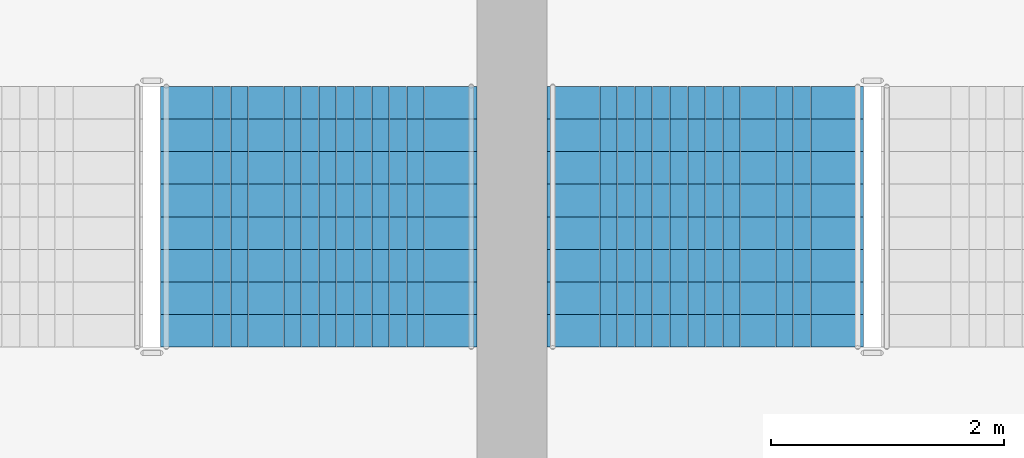
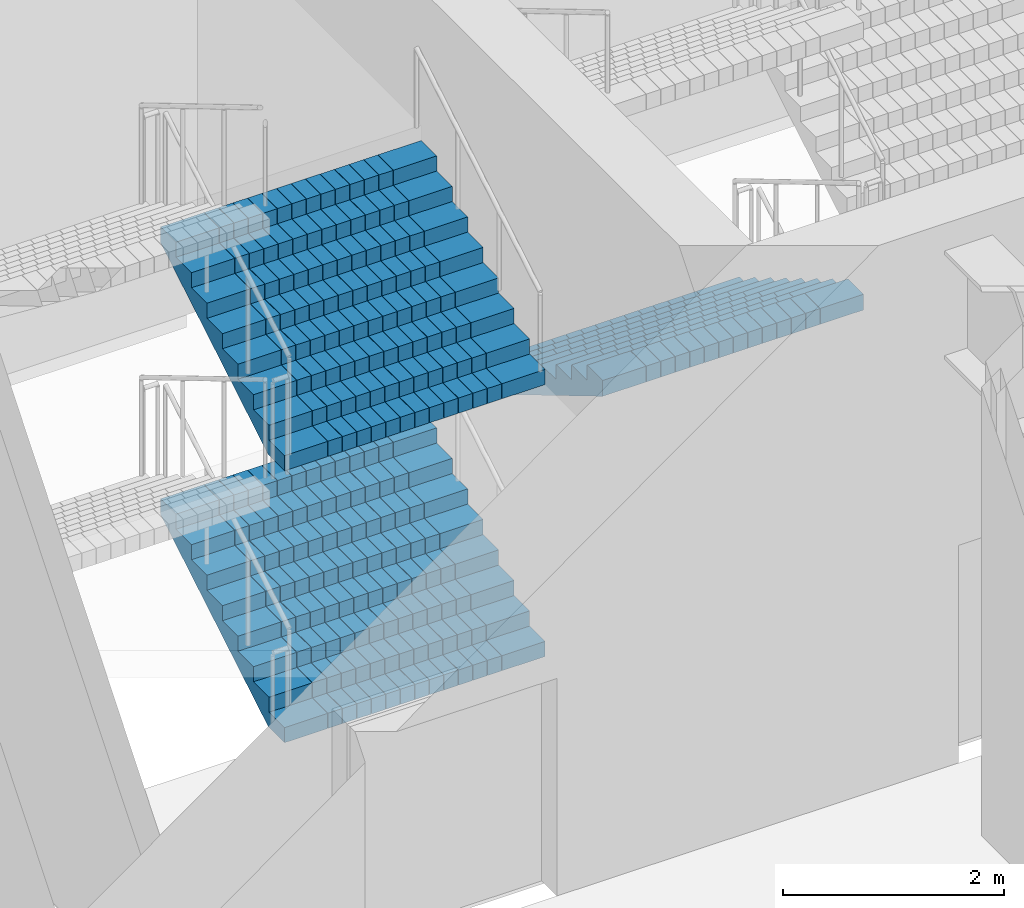
# One storey, part 49 of 61: 3 stair flights, 2 elements without a shape of their own.
"""IFC4 building model written with IfcOpenShell, lengths in metres."""

from ifc_helpers import new_model, si_unit, direction, frame, origin, place, context, subcontext, project, spatial, polyline, outline, extrude, material, type_object, element, aggregate, save


model = new_model("IFC4")

# Units and contexts
model_context = context("Model", 3, precision=1e-05, world=origin(), true_north=direction((0.0, 1.0)))
body_context = subcontext(model_context, "Body", "Model", "MODEL_VIEW")
ifc_project = project(units=[si_unit("LENGTHUNIT", "METRE"), si_unit("AREAUNIT", "SQUARE_METRE"), si_unit("VOLUMEUNIT", "CUBIC_METRE"), si_unit("PLANEANGLEUNIT", "RADIAN"), si_unit("MASSUNIT", "GRAM", prefix="KILO")], contexts=[model_context])

# Site, building, storey
site_placement = place(None, origin())
site = spatial("IfcSite", under=ifc_project, at=site_placement, CompositionType="ELEMENT")
building_placement = place(site_placement, origin())
building = spatial("IfcBuilding", under=site, at=building_placement, Name="Corbelhall Arena Tower", CompositionType="ELEMENT")
storey_placement = place(building_placement, frame((0.0, 0.0, 31.0)))
storey = spatial("IfcBuildingStorey", under=building, at=storey_placement, Name="L04", CompositionType="ELEMENT", Elevation=31.0)

# Stair, stair flights
ifc_material = material(Name="Reinforced concrete C40/50", Category="concrete")
stair_type = type_object("IfcStairType", Name="AR-EXIT-STAIR", PredefinedType="HALF_TURN_STAIR", material=ifc_material)
stair_1_placement = place(storey_placement, origin())
stair_1 = element("IfcStair", 1, at=stair_1_placement, inside=storey, type_object=stair_type, Name="L04 exit stair AS1", PredefinedType="HALF_TURN_STAIR")
stair_flight_type = type_object("IfcStairFlightType", Name="AR-EXIT-FLIGHT", PredefinedType="STRAIGHT", material=ifc_material)
stair_flight_1_placement = place(storey_placement, frame((38.840087890625, 27.320068359375, 0.0), z_axis=(0.0, 0.0, 1.0), x_axis=(0.0, 1.0, 0.0)))
stair_flight_1 = element("IfcStairFlight", 2, at=stair_flight_1_placement, type_object=stair_flight_type, Name="AS1 flight 1", NumberOfRisers=9, NumberOfTreads=8, PredefinedType="STRAIGHT", RiserHeight=0.166666667, TreadLength=0.28, context=body_context, shape_type="SweptSolid", body=[
    extrude(outline(polyline([(0.0, 0.0), (0.0, 0.166748046875), (0.280029296875, 0.166748046875), (0.280029296875, 0.333251953125), (0.56005859375, 0.333251953125), (0.56005859375, 0.5), (0.840087890625, 0.5), (0.840087890625, 0.666748046875), (1.1201171875, 0.666748046875), (1.1201171875, 0.833251953125), (1.39990234375, 0.833251953125), (1.39990234375, 1.0), (1.679931640625, 1.0), (1.679931640625, 1.166748046875), (1.9599609375, 1.166748046875), (1.9599609375, 1.333251953125), (2.239990234375, 1.333251953125), (2.239990234375, 1.5), (2.239990234375, 1.158935546875), (0.29296875, 0.0), (0.0, 0.0)])), frame((0.0, 1.35986328125, 0.0), z_axis=(0.0, -1.0, 0.0), x_axis=(1.0, 0.0, 0.0)), (0.0, 0.0, 1.0), 0.449951171875),
    extrude(outline(polyline([(0.0, 0.0), (0.0, 0.166748046875), (0.280029296875, 0.166748046875), (0.280029296875, 0.333251953125), (0.56005859375, 0.333251953125), (0.56005859375, 0.5), (0.840087890625, 0.5), (0.840087890625, 0.666748046875), (1.1201171875, 0.666748046875), (1.1201171875, 0.833251953125), (1.39990234375, 0.833251953125), (1.39990234375, 1.0), (1.679931640625, 1.0), (1.679931640625, 1.166748046875), (1.9599609375, 1.166748046875), (1.9599609375, 1.333251953125), (2.239990234375, 1.333251953125), (2.239990234375, 1.5), (2.239990234375, 1.158935546875), (0.29296875, 0.0), (0.0, 0.0)])), frame((0.0, 0.906005859375, 0.0), z_axis=(0.0, -1.0, 0.0), x_axis=(1.0, 0.0, 0.0)), (0.0, 0.0, 1.0), 0.147216796875),
    extrude(outline(polyline([(0.0, 0.0), (0.0, 0.166748046875), (0.280029296875, 0.166748046875), (0.280029296875, 0.333251953125), (0.56005859375, 0.333251953125), (0.56005859375, 0.5), (0.840087890625, 0.5), (0.840087890625, 0.666748046875), (1.1201171875, 0.666748046875), (1.1201171875, 0.833251953125), (1.39990234375, 0.833251953125), (1.39990234375, 1.0), (1.679931640625, 1.0), (1.679931640625, 1.166748046875), (1.9599609375, 1.166748046875), (1.9599609375, 1.333251953125), (2.239990234375, 1.333251953125), (2.239990234375, 1.5), (2.239990234375, 1.158935546875), (0.29296875, 0.0), (0.0, 0.0)])), frame((0.0, 0.754638671875, 0.0), z_axis=(0.0, -1.0, 0.0), x_axis=(1.0, 0.0, 0.0)), (0.0, 0.0, 1.0), 0.147216796875),
    extrude(outline(polyline([(0.0, 0.0), (0.0, 0.166748046875), (0.280029296875, 0.166748046875), (0.280029296875, 0.333251953125), (0.56005859375, 0.333251953125), (0.56005859375, 0.5), (0.840087890625, 0.5), (0.840087890625, 0.666748046875), (1.1201171875, 0.666748046875), (1.1201171875, 0.833251953125), (1.39990234375, 0.833251953125), (1.39990234375, 1.0), (1.679931640625, 1.0), (1.679931640625, 1.166748046875), (1.9599609375, 1.166748046875), (1.9599609375, 1.333251953125), (2.239990234375, 1.333251953125), (2.239990234375, 1.5), (2.239990234375, 1.158935546875), (0.29296875, 0.0), (0.0, 0.0)])), frame((0.0, 0.603271484375, 0.0), z_axis=(0.0, -1.0, 0.0), x_axis=(1.0, 0.0, 0.0)), (0.0, 0.0, 1.0), 0.147216796875),
    extrude(outline(polyline([(0.0, 0.0), (0.0, 0.166748046875), (0.280029296875, 0.166748046875), (0.280029296875, 0.333251953125), (0.56005859375, 0.333251953125), (0.56005859375, 0.5), (0.840087890625, 0.5), (0.840087890625, 0.666748046875), (1.1201171875, 0.666748046875), (1.1201171875, 0.833251953125), (1.39990234375, 0.833251953125), (1.39990234375, 1.0), (1.679931640625, 1.0), (1.679931640625, 1.166748046875), (1.9599609375, 1.166748046875), (1.9599609375, 1.333251953125), (2.239990234375, 1.333251953125), (2.239990234375, 1.5), (2.239990234375, 1.158935546875), (0.29296875, 0.0), (0.0, 0.0)])), frame((0.0, 0.451904296875, 0.0), z_axis=(0.0, -1.0, 0.0), x_axis=(1.0, 0.0, 0.0)), (0.0, 0.0, 1.0), 0.147216796875),
    extrude(outline(polyline([(0.0, 0.0), (0.0, 0.166748046875), (0.280029296875, 0.166748046875), (0.280029296875, 0.333251953125), (0.56005859375, 0.333251953125), (0.56005859375, 0.5), (0.840087890625, 0.5), (0.840087890625, 0.666748046875), (1.1201171875, 0.666748046875), (1.1201171875, 0.833251953125), (1.39990234375, 0.833251953125), (1.39990234375, 1.0), (1.679931640625, 1.0), (1.679931640625, 1.166748046875), (1.9599609375, 1.166748046875), (1.9599609375, 1.333251953125), (2.239990234375, 1.333251953125), (2.239990234375, 1.5), (2.239990234375, 1.158935546875), (0.29296875, 0.0), (0.0, 0.0)])), frame((0.0, 0.30078125, 0.0), z_axis=(0.0, -1.0, 0.0), x_axis=(1.0, 0.0, 0.0)), (0.0, 0.0, 1.0), 0.147216796875),
    extrude(outline(polyline([(0.0, 0.0), (0.0, 0.166748046875), (0.280029296875, 0.166748046875), (0.280029296875, 0.333251953125), (0.56005859375, 0.333251953125), (0.56005859375, 0.5), (0.840087890625, 0.5), (0.840087890625, 0.666748046875), (1.1201171875, 0.666748046875), (1.1201171875, 0.833251953125), (1.39990234375, 0.833251953125), (1.39990234375, 1.0), (1.679931640625, 1.0), (1.679931640625, 1.166748046875), (1.9599609375, 1.166748046875), (1.9599609375, 1.333251953125), (2.239990234375, 1.333251953125), (2.239990234375, 1.5), (2.239990234375, 1.158935546875), (0.29296875, 0.0), (0.0, 0.0)])), frame((0.0, 0.1494140625, 0.0), z_axis=(0.0, -1.0, 0.0), x_axis=(1.0, 0.0, 0.0)), (0.0, 0.0, 1.0), 0.147216796875),
    extrude(outline(polyline([(0.0, 0.0), (0.0, 0.166748046875), (0.280029296875, 0.166748046875), (0.280029296875, 0.333251953125), (0.56005859375, 0.333251953125), (0.56005859375, 0.5), (0.840087890625, 0.5), (0.840087890625, 0.666748046875), (1.1201171875, 0.666748046875), (1.1201171875, 0.833251953125), (1.39990234375, 0.833251953125), (1.39990234375, 1.0), (1.679931640625, 1.0), (1.679931640625, 1.166748046875), (1.9599609375, 1.166748046875), (1.9599609375, 1.333251953125), (2.239990234375, 1.333251953125), (2.239990234375, 1.5), (2.239990234375, 1.158935546875), (0.29296875, 0.0), (0.0, 0.0)])), frame((0.0, -0.001953125, 0.0), z_axis=(0.0, -1.0, 0.0), x_axis=(1.0, 0.0, 0.0)), (0.0, 0.0, 1.0), 0.147216796875),
    extrude(outline(polyline([(0.0, 0.0), (0.0, 0.166748046875), (0.280029296875, 0.166748046875), (0.280029296875, 0.333251953125), (0.56005859375, 0.333251953125), (0.56005859375, 0.5), (0.840087890625, 0.5), (0.840087890625, 0.666748046875), (1.1201171875, 0.666748046875), (1.1201171875, 0.833251953125), (1.39990234375, 0.833251953125), (1.39990234375, 1.0), (1.679931640625, 1.0), (1.679931640625, 1.166748046875), (1.9599609375, 1.166748046875), (1.9599609375, 1.333251953125), (2.239990234375, 1.333251953125), (2.239990234375, 1.5), (2.239990234375, 1.158935546875), (0.29296875, 0.0), (0.0, 0.0)])), frame((0.0, -0.1533203125, 0.0), z_axis=(0.0, -1.0, 0.0), x_axis=(1.0, 0.0, 0.0)), (0.0, 0.0, 1.0), 0.147216796875),
    extrude(outline(polyline([(0.0, 0.0), (0.0, 0.166748046875), (0.280029296875, 0.166748046875), (0.280029296875, 0.333251953125), (0.56005859375, 0.333251953125), (0.56005859375, 0.5), (0.840087890625, 0.5), (0.840087890625, 0.666748046875), (1.1201171875, 0.666748046875), (1.1201171875, 0.833251953125), (1.39990234375, 0.833251953125), (1.39990234375, 1.0), (1.679931640625, 1.0), (1.679931640625, 1.166748046875), (1.9599609375, 1.166748046875), (1.9599609375, 1.333251953125), (2.239990234375, 1.333251953125), (2.239990234375, 1.5), (2.239990234375, 1.158935546875), (0.29296875, 0.0), (0.0, 0.0)])), frame((0.0, -0.3046875, 0.0), z_axis=(0.0, -1.0, 0.0), x_axis=(1.0, 0.0, 0.0)), (0.0, 0.0, 1.0), 0.147216796875),
    extrude(outline(polyline([(0.0, 0.0), (0.0, 0.166748046875), (0.280029296875, 0.166748046875), (0.280029296875, 0.333251953125), (0.56005859375, 0.333251953125), (0.56005859375, 0.5), (0.840087890625, 0.5), (0.840087890625, 0.666748046875), (1.1201171875, 0.666748046875), (1.1201171875, 0.833251953125), (1.39990234375, 0.833251953125), (1.39990234375, 1.0), (1.679931640625, 1.0), (1.679931640625, 1.166748046875), (1.9599609375, 1.166748046875), (1.9599609375, 1.333251953125), (2.239990234375, 1.333251953125), (2.239990234375, 1.5), (2.239990234375, 1.158935546875), (0.29296875, 0.0), (0.0, 0.0)])), frame((0.0, -0.4560546875, 0.0), z_axis=(0.0, -1.0, 0.0), x_axis=(1.0, 0.0, 0.0)), (0.0, 0.0, 1.0), 0.147216796875),
    extrude(outline(polyline([(0.0, 0.0), (0.0, 0.166748046875), (0.280029296875, 0.166748046875), (0.280029296875, 0.333251953125), (0.56005859375, 0.333251953125), (0.56005859375, 0.5), (0.840087890625, 0.5), (0.840087890625, 0.666748046875), (1.1201171875, 0.666748046875), (1.1201171875, 0.833251953125), (1.39990234375, 0.833251953125), (1.39990234375, 1.0), (1.679931640625, 1.0), (1.679931640625, 1.166748046875), (1.9599609375, 1.166748046875), (1.9599609375, 1.333251953125), (2.239990234375, 1.333251953125), (2.239990234375, 1.5), (2.239990234375, 1.158935546875), (0.29296875, 0.0), (0.0, 0.0)])), frame((0.0, -0.607421875, 0.0), z_axis=(0.0, -1.0, 0.0), x_axis=(1.0, 0.0, 0.0)), (0.0, 0.0, 1.0), 0.147216796875),
    extrude(outline(polyline([(0.0, 0.0), (0.0, 0.166748046875), (0.280029296875, 0.166748046875), (0.280029296875, 0.333251953125), (0.56005859375, 0.333251953125), (0.56005859375, 0.5), (0.840087890625, 0.5), (0.840087890625, 0.666748046875), (1.1201171875, 0.666748046875), (1.1201171875, 0.833251953125), (1.39990234375, 0.833251953125), (1.39990234375, 1.0), (1.679931640625, 1.0), (1.679931640625, 1.166748046875), (1.9599609375, 1.166748046875), (1.9599609375, 1.333251953125), (2.239990234375, 1.333251953125), (2.239990234375, 1.5), (2.239990234375, 1.158935546875), (0.29296875, 0.0), (0.0, 0.0)])), frame((0.0, -0.758544921875, 0.0), z_axis=(0.0, -1.0, 0.0), x_axis=(1.0, 0.0, 0.0)), (0.0, 0.0, 1.0), 0.147216796875),
    extrude(outline(polyline([(0.0, 0.0), (0.0, 0.166748046875), (0.280029296875, 0.166748046875), (0.280029296875, 0.333251953125), (0.56005859375, 0.333251953125), (0.56005859375, 0.5), (0.840087890625, 0.5), (0.840087890625, 0.666748046875), (1.1201171875, 0.666748046875), (1.1201171875, 0.833251953125), (1.39990234375, 0.833251953125), (1.39990234375, 1.0), (1.679931640625, 1.0), (1.679931640625, 1.166748046875), (1.9599609375, 1.166748046875), (1.9599609375, 1.333251953125), (2.239990234375, 1.333251953125), (2.239990234375, 1.5), (2.239990234375, 1.158935546875), (0.29296875, 0.0), (0.0, 0.0)])), frame((0.0, -0.909912109375, 0.0), z_axis=(0.0, -1.0, 0.0), x_axis=(1.0, 0.0, 0.0)), (0.0, 0.0, 1.0), 0.449951171875),
])
stair_flight_2_placement = place(storey_placement, frame((38.840087890625, 27.320068359375, 3.0), z_axis=(0.0, 0.0, 1.0), x_axis=(0.0, 1.0, 0.0)))
stair_flight_2 = element("IfcStairFlight", 3, at=stair_flight_2_placement, type_object=stair_flight_type, Name="AS1 flight 3", NumberOfRisers=9, NumberOfTreads=8, PredefinedType="STRAIGHT", RiserHeight=0.166666667, TreadLength=0.28, context=body_context, shape_type="SweptSolid", body=[
    extrude(outline(polyline([(0.0, 0.0), (0.0, 0.166748046875), (0.280029296875, 0.166748046875), (0.280029296875, 0.333251953125), (0.56005859375, 0.333251953125), (0.56005859375, 0.5), (0.840087890625, 0.5), (0.840087890625, 0.666748046875), (1.1201171875, 0.666748046875), (1.1201171875, 0.833251953125), (1.39990234375, 0.833251953125), (1.39990234375, 1.0), (1.679931640625, 1.0), (1.679931640625, 1.166748046875), (1.9599609375, 1.166748046875), (1.9599609375, 1.333251953125), (2.239990234375, 1.333251953125), (2.239990234375, 1.5), (2.239990234375, 1.158935546875), (0.29296875, 0.0), (0.0, 0.0)])), frame((0.0, 1.35986328125, 0.0), z_axis=(0.0, -1.0, 0.0), x_axis=(1.0, 0.0, 0.0)), (0.0, 0.0, 1.0), 0.449951171875),
    extrude(outline(polyline([(0.0, 0.0), (0.0, 0.166748046875), (0.280029296875, 0.166748046875), (0.280029296875, 0.333251953125), (0.56005859375, 0.333251953125), (0.56005859375, 0.5), (0.840087890625, 0.5), (0.840087890625, 0.666748046875), (1.1201171875, 0.666748046875), (1.1201171875, 0.833251953125), (1.39990234375, 0.833251953125), (1.39990234375, 1.0), (1.679931640625, 1.0), (1.679931640625, 1.166748046875), (1.9599609375, 1.166748046875), (1.9599609375, 1.333251953125), (2.239990234375, 1.333251953125), (2.239990234375, 1.5), (2.239990234375, 1.158935546875), (0.29296875, 0.0), (0.0, 0.0)])), frame((0.0, 0.906005859375, 0.0), z_axis=(0.0, -1.0, 0.0), x_axis=(1.0, 0.0, 0.0)), (0.0, 0.0, 1.0), 0.147216796875),
    extrude(outline(polyline([(0.0, 0.0), (0.0, 0.166748046875), (0.280029296875, 0.166748046875), (0.280029296875, 0.333251953125), (0.56005859375, 0.333251953125), (0.56005859375, 0.5), (0.840087890625, 0.5), (0.840087890625, 0.666748046875), (1.1201171875, 0.666748046875), (1.1201171875, 0.833251953125), (1.39990234375, 0.833251953125), (1.39990234375, 1.0), (1.679931640625, 1.0), (1.679931640625, 1.166748046875), (1.9599609375, 1.166748046875), (1.9599609375, 1.333251953125), (2.239990234375, 1.333251953125), (2.239990234375, 1.5), (2.239990234375, 1.158935546875), (0.29296875, 0.0), (0.0, 0.0)])), frame((0.0, 0.754638671875, 0.0), z_axis=(0.0, -1.0, 0.0), x_axis=(1.0, 0.0, 0.0)), (0.0, 0.0, 1.0), 0.147216796875),
    extrude(outline(polyline([(0.0, 0.0), (0.0, 0.166748046875), (0.280029296875, 0.166748046875), (0.280029296875, 0.333251953125), (0.56005859375, 0.333251953125), (0.56005859375, 0.5), (0.840087890625, 0.5), (0.840087890625, 0.666748046875), (1.1201171875, 0.666748046875), (1.1201171875, 0.833251953125), (1.39990234375, 0.833251953125), (1.39990234375, 1.0), (1.679931640625, 1.0), (1.679931640625, 1.166748046875), (1.9599609375, 1.166748046875), (1.9599609375, 1.333251953125), (2.239990234375, 1.333251953125), (2.239990234375, 1.5), (2.239990234375, 1.158935546875), (0.29296875, 0.0), (0.0, 0.0)])), frame((0.0, 0.603271484375, 0.0), z_axis=(0.0, -1.0, 0.0), x_axis=(1.0, 0.0, 0.0)), (0.0, 0.0, 1.0), 0.147216796875),
    extrude(outline(polyline([(0.0, 0.0), (0.0, 0.166748046875), (0.280029296875, 0.166748046875), (0.280029296875, 0.333251953125), (0.56005859375, 0.333251953125), (0.56005859375, 0.5), (0.840087890625, 0.5), (0.840087890625, 0.666748046875), (1.1201171875, 0.666748046875), (1.1201171875, 0.833251953125), (1.39990234375, 0.833251953125), (1.39990234375, 1.0), (1.679931640625, 1.0), (1.679931640625, 1.166748046875), (1.9599609375, 1.166748046875), (1.9599609375, 1.333251953125), (2.239990234375, 1.333251953125), (2.239990234375, 1.5), (2.239990234375, 1.158935546875), (0.29296875, 0.0), (0.0, 0.0)])), frame((0.0, 0.451904296875, 0.0), z_axis=(0.0, -1.0, 0.0), x_axis=(1.0, 0.0, 0.0)), (0.0, 0.0, 1.0), 0.147216796875),
    extrude(outline(polyline([(0.0, 0.0), (0.0, 0.166748046875), (0.280029296875, 0.166748046875), (0.280029296875, 0.333251953125), (0.56005859375, 0.333251953125), (0.56005859375, 0.5), (0.840087890625, 0.5), (0.840087890625, 0.666748046875), (1.1201171875, 0.666748046875), (1.1201171875, 0.833251953125), (1.39990234375, 0.833251953125), (1.39990234375, 1.0), (1.679931640625, 1.0), (1.679931640625, 1.166748046875), (1.9599609375, 1.166748046875), (1.9599609375, 1.333251953125), (2.239990234375, 1.333251953125), (2.239990234375, 1.5), (2.239990234375, 1.158935546875), (0.29296875, 0.0), (0.0, 0.0)])), frame((0.0, 0.30078125, 0.0), z_axis=(0.0, -1.0, 0.0), x_axis=(1.0, 0.0, 0.0)), (0.0, 0.0, 1.0), 0.147216796875),
    extrude(outline(polyline([(0.0, 0.0), (0.0, 0.166748046875), (0.280029296875, 0.166748046875), (0.280029296875, 0.333251953125), (0.56005859375, 0.333251953125), (0.56005859375, 0.5), (0.840087890625, 0.5), (0.840087890625, 0.666748046875), (1.1201171875, 0.666748046875), (1.1201171875, 0.833251953125), (1.39990234375, 0.833251953125), (1.39990234375, 1.0), (1.679931640625, 1.0), (1.679931640625, 1.166748046875), (1.9599609375, 1.166748046875), (1.9599609375, 1.333251953125), (2.239990234375, 1.333251953125), (2.239990234375, 1.5), (2.239990234375, 1.158935546875), (0.29296875, 0.0), (0.0, 0.0)])), frame((0.0, 0.1494140625, 0.0), z_axis=(0.0, -1.0, 0.0), x_axis=(1.0, 0.0, 0.0)), (0.0, 0.0, 1.0), 0.147216796875),
    extrude(outline(polyline([(0.0, 0.0), (0.0, 0.166748046875), (0.280029296875, 0.166748046875), (0.280029296875, 0.333251953125), (0.56005859375, 0.333251953125), (0.56005859375, 0.5), (0.840087890625, 0.5), (0.840087890625, 0.666748046875), (1.1201171875, 0.666748046875), (1.1201171875, 0.833251953125), (1.39990234375, 0.833251953125), (1.39990234375, 1.0), (1.679931640625, 1.0), (1.679931640625, 1.166748046875), (1.9599609375, 1.166748046875), (1.9599609375, 1.333251953125), (2.239990234375, 1.333251953125), (2.239990234375, 1.5), (2.239990234375, 1.158935546875), (0.29296875, 0.0), (0.0, 0.0)])), frame((0.0, -0.001953125, 0.0), z_axis=(0.0, -1.0, 0.0), x_axis=(1.0, 0.0, 0.0)), (0.0, 0.0, 1.0), 0.147216796875),
    extrude(outline(polyline([(0.0, 0.0), (0.0, 0.166748046875), (0.280029296875, 0.166748046875), (0.280029296875, 0.333251953125), (0.56005859375, 0.333251953125), (0.56005859375, 0.5), (0.840087890625, 0.5), (0.840087890625, 0.666748046875), (1.1201171875, 0.666748046875), (1.1201171875, 0.833251953125), (1.39990234375, 0.833251953125), (1.39990234375, 1.0), (1.679931640625, 1.0), (1.679931640625, 1.166748046875), (1.9599609375, 1.166748046875), (1.9599609375, 1.333251953125), (2.239990234375, 1.333251953125), (2.239990234375, 1.5), (2.239990234375, 1.158935546875), (0.29296875, 0.0), (0.0, 0.0)])), frame((0.0, -0.1533203125, 0.0), z_axis=(0.0, -1.0, 0.0), x_axis=(1.0, 0.0, 0.0)), (0.0, 0.0, 1.0), 0.147216796875),
    extrude(outline(polyline([(0.0, 0.0), (0.0, 0.166748046875), (0.280029296875, 0.166748046875), (0.280029296875, 0.333251953125), (0.56005859375, 0.333251953125), (0.56005859375, 0.5), (0.840087890625, 0.5), (0.840087890625, 0.666748046875), (1.1201171875, 0.666748046875), (1.1201171875, 0.833251953125), (1.39990234375, 0.833251953125), (1.39990234375, 1.0), (1.679931640625, 1.0), (1.679931640625, 1.166748046875), (1.9599609375, 1.166748046875), (1.9599609375, 1.333251953125), (2.239990234375, 1.333251953125), (2.239990234375, 1.5), (2.239990234375, 1.158935546875), (0.29296875, 0.0), (0.0, 0.0)])), frame((0.0, -0.3046875, 0.0), z_axis=(0.0, -1.0, 0.0), x_axis=(1.0, 0.0, 0.0)), (0.0, 0.0, 1.0), 0.147216796875),
    extrude(outline(polyline([(0.0, 0.0), (0.0, 0.166748046875), (0.280029296875, 0.166748046875), (0.280029296875, 0.333251953125), (0.56005859375, 0.333251953125), (0.56005859375, 0.5), (0.840087890625, 0.5), (0.840087890625, 0.666748046875), (1.1201171875, 0.666748046875), (1.1201171875, 0.833251953125), (1.39990234375, 0.833251953125), (1.39990234375, 1.0), (1.679931640625, 1.0), (1.679931640625, 1.166748046875), (1.9599609375, 1.166748046875), (1.9599609375, 1.333251953125), (2.239990234375, 1.333251953125), (2.239990234375, 1.5), (2.239990234375, 1.158935546875), (0.29296875, 0.0), (0.0, 0.0)])), frame((0.0, -0.4560546875, 0.0), z_axis=(0.0, -1.0, 0.0), x_axis=(1.0, 0.0, 0.0)), (0.0, 0.0, 1.0), 0.147216796875),
    extrude(outline(polyline([(0.0, 0.0), (0.0, 0.166748046875), (0.280029296875, 0.166748046875), (0.280029296875, 0.333251953125), (0.56005859375, 0.333251953125), (0.56005859375, 0.5), (0.840087890625, 0.5), (0.840087890625, 0.666748046875), (1.1201171875, 0.666748046875), (1.1201171875, 0.833251953125), (1.39990234375, 0.833251953125), (1.39990234375, 1.0), (1.679931640625, 1.0), (1.679931640625, 1.166748046875), (1.9599609375, 1.166748046875), (1.9599609375, 1.333251953125), (2.239990234375, 1.333251953125), (2.239990234375, 1.5), (2.239990234375, 1.158935546875), (0.29296875, 0.0), (0.0, 0.0)])), frame((0.0, -0.607421875, 0.0), z_axis=(0.0, -1.0, 0.0), x_axis=(1.0, 0.0, 0.0)), (0.0, 0.0, 1.0), 0.147216796875),
    extrude(outline(polyline([(0.0, 0.0), (0.0, 0.166748046875), (0.280029296875, 0.166748046875), (0.280029296875, 0.333251953125), (0.56005859375, 0.333251953125), (0.56005859375, 0.5), (0.840087890625, 0.5), (0.840087890625, 0.666748046875), (1.1201171875, 0.666748046875), (1.1201171875, 0.833251953125), (1.39990234375, 0.833251953125), (1.39990234375, 1.0), (1.679931640625, 1.0), (1.679931640625, 1.166748046875), (1.9599609375, 1.166748046875), (1.9599609375, 1.333251953125), (2.239990234375, 1.333251953125), (2.239990234375, 1.5), (2.239990234375, 1.158935546875), (0.29296875, 0.0), (0.0, 0.0)])), frame((0.0, -0.758544921875, 0.0), z_axis=(0.0, -1.0, 0.0), x_axis=(1.0, 0.0, 0.0)), (0.0, 0.0, 1.0), 0.147216796875),
    extrude(outline(polyline([(0.0, 0.0), (0.0, 0.166748046875), (0.280029296875, 0.166748046875), (0.280029296875, 0.333251953125), (0.56005859375, 0.333251953125), (0.56005859375, 0.5), (0.840087890625, 0.5), (0.840087890625, 0.666748046875), (1.1201171875, 0.666748046875), (1.1201171875, 0.833251953125), (1.39990234375, 0.833251953125), (1.39990234375, 1.0), (1.679931640625, 1.0), (1.679931640625, 1.166748046875), (1.9599609375, 1.166748046875), (1.9599609375, 1.333251953125), (2.239990234375, 1.333251953125), (2.239990234375, 1.5), (2.239990234375, 1.158935546875), (0.29296875, 0.0), (0.0, 0.0)])), frame((0.0, -0.909912109375, 0.0), z_axis=(0.0, -1.0, 0.0), x_axis=(1.0, 0.0, 0.0)), (0.0, 0.0, 1.0), 0.449951171875),
])
aggregate(stair_1, [stair_flight_1, stair_flight_2])

# Stair, stair flight
stair_2_placement = place(storey_placement, origin())
stair_2 = element("IfcStair", 4, at=stair_2_placement, inside=storey, type_object=stair_type, Name="L04 exit stair AS2", PredefinedType="HALF_TURN_STAIR")
stair_flight_3_placement = place(storey_placement, frame((42.159912109375, 29.56005859375, 1.5), z_axis=(0.0, 0.0, 1.0), x_axis=(0.0, -1.0, 0.0)))
stair_flight_3 = element("IfcStairFlight", 5, at=stair_flight_3_placement, type_object=stair_flight_type, Name="AS2 flight 2", NumberOfRisers=9, NumberOfTreads=8, PredefinedType="STRAIGHT", RiserHeight=0.166666667, TreadLength=0.28, context=body_context, shape_type="SweptSolid", body=[
    extrude(outline(polyline([(0.0, 0.0), (0.0, 0.166748046875), (0.280029296875, 0.166748046875), (0.280029296875, 0.333251953125), (0.56005859375, 0.333251953125), (0.56005859375, 0.5), (0.840087890625, 0.5), (0.840087890625, 0.666748046875), (1.1201171875, 0.666748046875), (1.1201171875, 0.833251953125), (1.39990234375, 0.833251953125), (1.39990234375, 1.0), (1.679931640625, 1.0), (1.679931640625, 1.166748046875), (1.9599609375, 1.166748046875), (1.9599609375, 1.333251953125), (2.239990234375, 1.333251953125), (2.239990234375, 1.5), (2.239990234375, 1.158935546875), (0.29296875, 0.0), (0.0, 0.0)])), frame((0.0, 1.35986328125, 0.0), z_axis=(0.0, -1.0, 0.0), x_axis=(1.0, 0.0, 0.0)), (0.0, 0.0, 1.0), 0.449951171875),
    extrude(outline(polyline([(0.0, 0.0), (0.0, 0.166748046875), (0.280029296875, 0.166748046875), (0.280029296875, 0.333251953125), (0.56005859375, 0.333251953125), (0.56005859375, 0.5), (0.840087890625, 0.5), (0.840087890625, 0.666748046875), (1.1201171875, 0.666748046875), (1.1201171875, 0.833251953125), (1.39990234375, 0.833251953125), (1.39990234375, 1.0), (1.679931640625, 1.0), (1.679931640625, 1.166748046875), (1.9599609375, 1.166748046875), (1.9599609375, 1.333251953125), (2.239990234375, 1.333251953125), (2.239990234375, 1.5), (2.239990234375, 1.158935546875), (0.29296875, 0.0), (0.0, 0.0)])), frame((0.0, 0.906005859375, 0.0), z_axis=(0.0, -1.0, 0.0), x_axis=(1.0, 0.0, 0.0)), (0.0, 0.0, 1.0), 0.147216796875),
    extrude(outline(polyline([(0.0, 0.0), (0.0, 0.166748046875), (0.280029296875, 0.166748046875), (0.280029296875, 0.333251953125), (0.56005859375, 0.333251953125), (0.56005859375, 0.5), (0.840087890625, 0.5), (0.840087890625, 0.666748046875), (1.1201171875, 0.666748046875), (1.1201171875, 0.833251953125), (1.39990234375, 0.833251953125), (1.39990234375, 1.0), (1.679931640625, 1.0), (1.679931640625, 1.166748046875), (1.9599609375, 1.166748046875), (1.9599609375, 1.333251953125), (2.239990234375, 1.333251953125), (2.239990234375, 1.5), (2.239990234375, 1.158935546875), (0.29296875, 0.0), (0.0, 0.0)])), frame((0.0, 0.754638671875, 0.0), z_axis=(0.0, -1.0, 0.0), x_axis=(1.0, 0.0, 0.0)), (0.0, 0.0, 1.0), 0.147216796875),
    extrude(outline(polyline([(0.0, 0.0), (0.0, 0.166748046875), (0.280029296875, 0.166748046875), (0.280029296875, 0.333251953125), (0.56005859375, 0.333251953125), (0.56005859375, 0.5), (0.840087890625, 0.5), (0.840087890625, 0.666748046875), (1.1201171875, 0.666748046875), (1.1201171875, 0.833251953125), (1.39990234375, 0.833251953125), (1.39990234375, 1.0), (1.679931640625, 1.0), (1.679931640625, 1.166748046875), (1.9599609375, 1.166748046875), (1.9599609375, 1.333251953125), (2.239990234375, 1.333251953125), (2.239990234375, 1.5), (2.239990234375, 1.158935546875), (0.29296875, 0.0), (0.0, 0.0)])), frame((0.0, 0.603271484375, 0.0), z_axis=(0.0, -1.0, 0.0), x_axis=(1.0, 0.0, 0.0)), (0.0, 0.0, 1.0), 0.147216796875),
    extrude(outline(polyline([(0.0, 0.0), (0.0, 0.166748046875), (0.280029296875, 0.166748046875), (0.280029296875, 0.333251953125), (0.56005859375, 0.333251953125), (0.56005859375, 0.5), (0.840087890625, 0.5), (0.840087890625, 0.666748046875), (1.1201171875, 0.666748046875), (1.1201171875, 0.833251953125), (1.39990234375, 0.833251953125), (1.39990234375, 1.0), (1.679931640625, 1.0), (1.679931640625, 1.166748046875), (1.9599609375, 1.166748046875), (1.9599609375, 1.333251953125), (2.239990234375, 1.333251953125), (2.239990234375, 1.5), (2.239990234375, 1.158935546875), (0.29296875, 0.0), (0.0, 0.0)])), frame((0.0, 0.451904296875, 0.0), z_axis=(0.0, -1.0, 0.0), x_axis=(1.0, 0.0, 0.0)), (0.0, 0.0, 1.0), 0.147216796875),
    extrude(outline(polyline([(0.0, 0.0), (0.0, 0.166748046875), (0.280029296875, 0.166748046875), (0.280029296875, 0.333251953125), (0.56005859375, 0.333251953125), (0.56005859375, 0.5), (0.840087890625, 0.5), (0.840087890625, 0.666748046875), (1.1201171875, 0.666748046875), (1.1201171875, 0.833251953125), (1.39990234375, 0.833251953125), (1.39990234375, 1.0), (1.679931640625, 1.0), (1.679931640625, 1.166748046875), (1.9599609375, 1.166748046875), (1.9599609375, 1.333251953125), (2.239990234375, 1.333251953125), (2.239990234375, 1.5), (2.239990234375, 1.158935546875), (0.29296875, 0.0), (0.0, 0.0)])), frame((0.0, 0.30078125, 0.0), z_axis=(0.0, -1.0, 0.0), x_axis=(1.0, 0.0, 0.0)), (0.0, 0.0, 1.0), 0.147216796875),
    extrude(outline(polyline([(0.0, 0.0), (0.0, 0.166748046875), (0.280029296875, 0.166748046875), (0.280029296875, 0.333251953125), (0.56005859375, 0.333251953125), (0.56005859375, 0.5), (0.840087890625, 0.5), (0.840087890625, 0.666748046875), (1.1201171875, 0.666748046875), (1.1201171875, 0.833251953125), (1.39990234375, 0.833251953125), (1.39990234375, 1.0), (1.679931640625, 1.0), (1.679931640625, 1.166748046875), (1.9599609375, 1.166748046875), (1.9599609375, 1.333251953125), (2.239990234375, 1.333251953125), (2.239990234375, 1.5), (2.239990234375, 1.158935546875), (0.29296875, 0.0), (0.0, 0.0)])), frame((0.0, 0.1494140625, 0.0), z_axis=(0.0, -1.0, 0.0), x_axis=(1.0, 0.0, 0.0)), (0.0, 0.0, 1.0), 0.147216796875),
    extrude(outline(polyline([(0.0, 0.0), (0.0, 0.166748046875), (0.280029296875, 0.166748046875), (0.280029296875, 0.333251953125), (0.56005859375, 0.333251953125), (0.56005859375, 0.5), (0.840087890625, 0.5), (0.840087890625, 0.666748046875), (1.1201171875, 0.666748046875), (1.1201171875, 0.833251953125), (1.39990234375, 0.833251953125), (1.39990234375, 1.0), (1.679931640625, 1.0), (1.679931640625, 1.166748046875), (1.9599609375, 1.166748046875), (1.9599609375, 1.333251953125), (2.239990234375, 1.333251953125), (2.239990234375, 1.5), (2.239990234375, 1.158935546875), (0.29296875, 0.0), (0.0, 0.0)])), frame((0.0, -0.001953125, 0.0), z_axis=(0.0, -1.0, 0.0), x_axis=(1.0, 0.0, 0.0)), (0.0, 0.0, 1.0), 0.147216796875),
    extrude(outline(polyline([(0.0, 0.0), (0.0, 0.166748046875), (0.280029296875, 0.166748046875), (0.280029296875, 0.333251953125), (0.56005859375, 0.333251953125), (0.56005859375, 0.5), (0.840087890625, 0.5), (0.840087890625, 0.666748046875), (1.1201171875, 0.666748046875), (1.1201171875, 0.833251953125), (1.39990234375, 0.833251953125), (1.39990234375, 1.0), (1.679931640625, 1.0), (1.679931640625, 1.166748046875), (1.9599609375, 1.166748046875), (1.9599609375, 1.333251953125), (2.239990234375, 1.333251953125), (2.239990234375, 1.5), (2.239990234375, 1.158935546875), (0.29296875, 0.0), (0.0, 0.0)])), frame((0.0, -0.1533203125, 0.0), z_axis=(0.0, -1.0, 0.0), x_axis=(1.0, 0.0, 0.0)), (0.0, 0.0, 1.0), 0.147216796875),
    extrude(outline(polyline([(0.0, 0.0), (0.0, 0.166748046875), (0.280029296875, 0.166748046875), (0.280029296875, 0.333251953125), (0.56005859375, 0.333251953125), (0.56005859375, 0.5), (0.840087890625, 0.5), (0.840087890625, 0.666748046875), (1.1201171875, 0.666748046875), (1.1201171875, 0.833251953125), (1.39990234375, 0.833251953125), (1.39990234375, 1.0), (1.679931640625, 1.0), (1.679931640625, 1.166748046875), (1.9599609375, 1.166748046875), (1.9599609375, 1.333251953125), (2.239990234375, 1.333251953125), (2.239990234375, 1.5), (2.239990234375, 1.158935546875), (0.29296875, 0.0), (0.0, 0.0)])), frame((0.0, -0.3046875, 0.0), z_axis=(0.0, -1.0, 0.0), x_axis=(1.0, 0.0, 0.0)), (0.0, 0.0, 1.0), 0.147216796875),
    extrude(outline(polyline([(0.0, 0.0), (0.0, 0.166748046875), (0.280029296875, 0.166748046875), (0.280029296875, 0.333251953125), (0.56005859375, 0.333251953125), (0.56005859375, 0.5), (0.840087890625, 0.5), (0.840087890625, 0.666748046875), (1.1201171875, 0.666748046875), (1.1201171875, 0.833251953125), (1.39990234375, 0.833251953125), (1.39990234375, 1.0), (1.679931640625, 1.0), (1.679931640625, 1.166748046875), (1.9599609375, 1.166748046875), (1.9599609375, 1.333251953125), (2.239990234375, 1.333251953125), (2.239990234375, 1.5), (2.239990234375, 1.158935546875), (0.29296875, 0.0), (0.0, 0.0)])), frame((0.0, -0.4560546875, 0.0), z_axis=(0.0, -1.0, 0.0), x_axis=(1.0, 0.0, 0.0)), (0.0, 0.0, 1.0), 0.147216796875),
    extrude(outline(polyline([(0.0, 0.0), (0.0, 0.166748046875), (0.280029296875, 0.166748046875), (0.280029296875, 0.333251953125), (0.56005859375, 0.333251953125), (0.56005859375, 0.5), (0.840087890625, 0.5), (0.840087890625, 0.666748046875), (1.1201171875, 0.666748046875), (1.1201171875, 0.833251953125), (1.39990234375, 0.833251953125), (1.39990234375, 1.0), (1.679931640625, 1.0), (1.679931640625, 1.166748046875), (1.9599609375, 1.166748046875), (1.9599609375, 1.333251953125), (2.239990234375, 1.333251953125), (2.239990234375, 1.5), (2.239990234375, 1.158935546875), (0.29296875, 0.0), (0.0, 0.0)])), frame((0.0, -0.607421875, 0.0), z_axis=(0.0, -1.0, 0.0), x_axis=(1.0, 0.0, 0.0)), (0.0, 0.0, 1.0), 0.147216796875),
    extrude(outline(polyline([(0.0, 0.0), (0.0, 0.166748046875), (0.280029296875, 0.166748046875), (0.280029296875, 0.333251953125), (0.56005859375, 0.333251953125), (0.56005859375, 0.5), (0.840087890625, 0.5), (0.840087890625, 0.666748046875), (1.1201171875, 0.666748046875), (1.1201171875, 0.833251953125), (1.39990234375, 0.833251953125), (1.39990234375, 1.0), (1.679931640625, 1.0), (1.679931640625, 1.166748046875), (1.9599609375, 1.166748046875), (1.9599609375, 1.333251953125), (2.239990234375, 1.333251953125), (2.239990234375, 1.5), (2.239990234375, 1.158935546875), (0.29296875, 0.0), (0.0, 0.0)])), frame((0.0, -0.758544921875, 0.0), z_axis=(0.0, -1.0, 0.0), x_axis=(1.0, 0.0, 0.0)), (0.0, 0.0, 1.0), 0.147216796875),
    extrude(outline(polyline([(0.0, 0.0), (0.0, 0.166748046875), (0.280029296875, 0.166748046875), (0.280029296875, 0.333251953125), (0.56005859375, 0.333251953125), (0.56005859375, 0.5), (0.840087890625, 0.5), (0.840087890625, 0.666748046875), (1.1201171875, 0.666748046875), (1.1201171875, 0.833251953125), (1.39990234375, 0.833251953125), (1.39990234375, 1.0), (1.679931640625, 1.0), (1.679931640625, 1.166748046875), (1.9599609375, 1.166748046875), (1.9599609375, 1.333251953125), (2.239990234375, 1.333251953125), (2.239990234375, 1.5), (2.239990234375, 1.158935546875), (0.29296875, 0.0), (0.0, 0.0)])), frame((0.0, -0.909912109375, 0.0), z_axis=(0.0, -1.0, 0.0), x_axis=(1.0, 0.0, 0.0)), (0.0, 0.0, 1.0), 0.449951171875),
])
aggregate(stair_2, [stair_flight_3])

save(model, "model.ifc")
